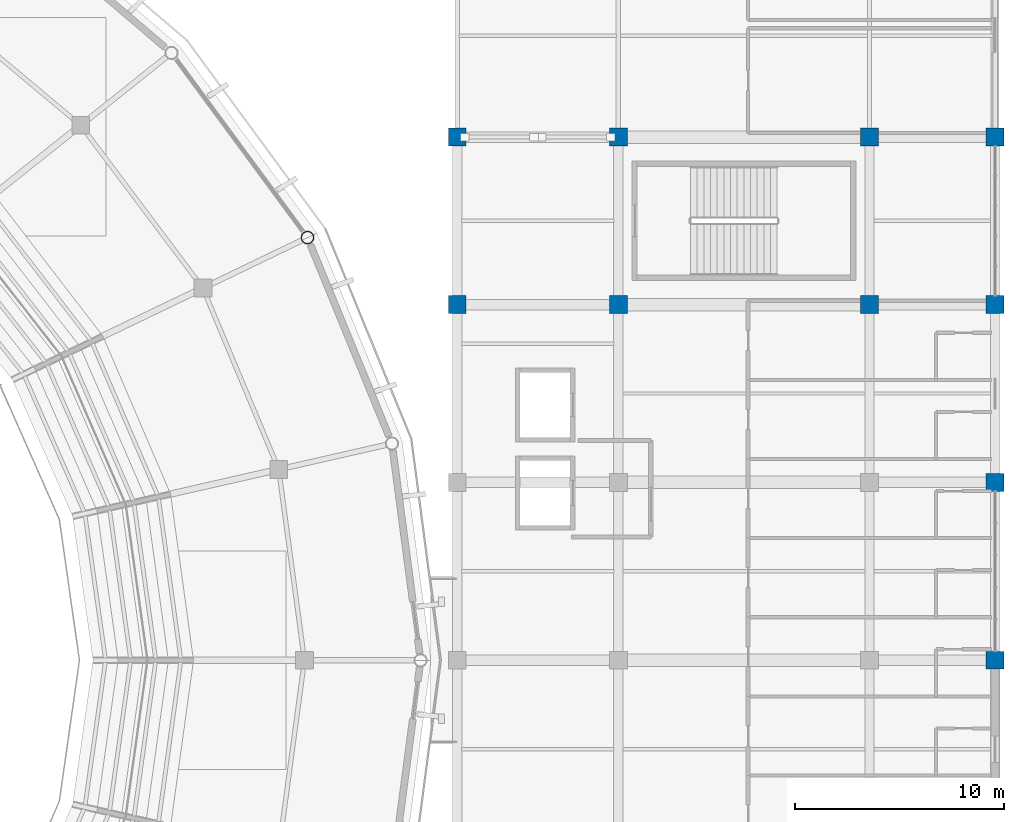
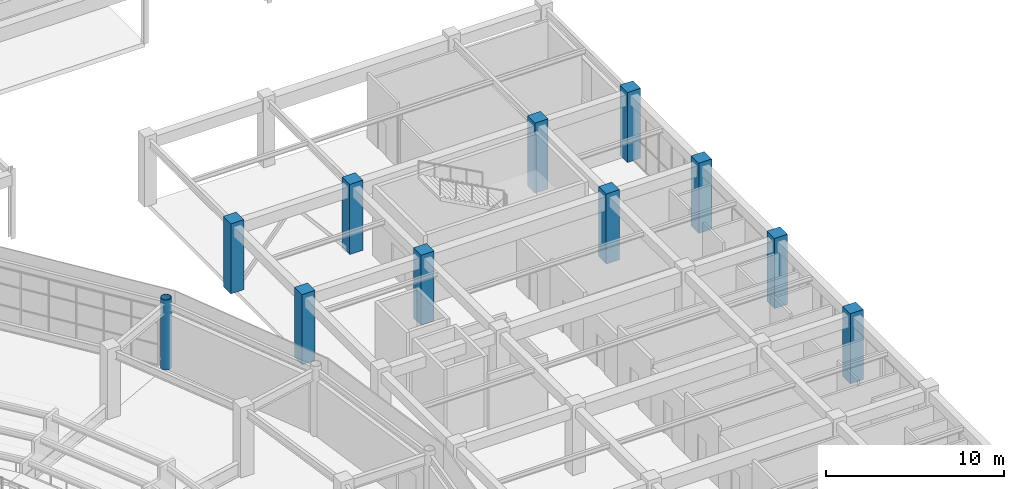
# One storey, part 14 of 122: 11 columns.
"""IFC4 building model written with IfcOpenShell, lengths in metres."""

from ifc_helpers import new_model, si_unit, direction, frame, origin, origin_2d, place, context, subcontext, project, spatial, rectangle, hollow_circle, extrude, material, material_profile, profile_set, type_object, element, save


model = new_model("IFC4")

# Units and contexts
model_context = context("Model", 3, precision=1e-05, world=origin(), true_north=direction((0.0, 1.0)))
body_context = subcontext(model_context, "Body", "Model", "MODEL_VIEW")
ifc_project = project(units=[si_unit("LENGTHUNIT", "METRE"), si_unit("AREAUNIT", "SQUARE_METRE"), si_unit("VOLUMEUNIT", "CUBIC_METRE"), si_unit("PLANEANGLEUNIT", "RADIAN"), si_unit("MASSUNIT", "GRAM", prefix="KILO")], contexts=[model_context])

# Site, building, storey
site_placement = place(None, origin())
site = spatial("IfcSite", under=ifc_project, at=site_placement, CompositionType="ELEMENT")
building_placement = place(site_placement, origin())
building = spatial("IfcBuilding", under=site, at=building_placement, Name="Cuetzalor Civic Arena", CompositionType="ELEMENT")
storey_placement = place(building_placement, frame((0.0, 0.0, 16.199951171875)))
storey = spatial("IfcBuildingStorey", under=building, at=storey_placement, Name="L03", CompositionType="ELEMENT", Elevation=16.199951171875)

# Columns
ifc_material_1 = material(Name="Concrete C40/50", Category="concrete")
ifc_material_profile_1 = material_profile(ifc_material_1, rectangle(XDim=0.85009765625, YDim=0.85009765625, at=origin_2d()), Name="RC 850x850")
ifc_profile_set_1 = profile_set([ifc_material_profile_1], Name="Concrete C40/50")
column_type_1 = type_object("IfcColumnType", Name="ConcreteColumn_850", PredefinedType="COLUMN", material=ifc_profile_set_1)
for number, where, z_axis, x_axis, name in (
    (1, (56.300048828125, 17.0, 0.0), (0.0, 0.0, 1.0), (1.0, 0.0, 0.0), "Column V4E-C-01-09 L03"),
    (2, (56.300048828125, 25.0, 0.0), (0.0, 0.0, 1.0), (1.0, 0.0, 0.0), "Column V4E-C-01-10 L03"),
    (3, (64.0, 17.0, 0.0), (0.0, 0.0, 1.0), (1.0, 0.0, 0.0), "Column V4E-C-02-09 L03"),
    (4, (64.0, 25.0, 0.0), (0.0, 0.0, 1.0), (1.0, 0.0, 0.0), "Column V4E-C-02-10 L03"),
    (5, (76.0, 17.0, 0.0), (0.0, 0.0, 1.0), (1.0, 0.0, 0.0), "Column V4E-C-03-09 L03"),
    (6, (76.0, 25.0, 0.0), (0.0, 0.0, 1.0), (1.0, 0.0, 0.0), "Column V4E-C-03-10 L03"),
    (7, (82.0, 0.0, 0.0), (0.0, 0.0, 1.0), (1.0, 0.0, 0.0), "Column V4E-C-04-07 L03"),
    (8, (82.0, 8.5, 0.0), (0.0, 0.0, 1.0), (1.0, 0.0, 0.0), "Column V4E-C-04-08 L03"),
    (9, (82.0, 17.0, 0.0), (0.0, 0.0, 1.0), (1.0, 0.0, 0.0), "Column V4E-C-04-09 L03"),
    (10, (82.0, 25.0, 0.0), (0.0, 0.0, 1.0), (1.0, 0.0, 0.0), "Column V4E-C-04-10 L03"),
):
    element("IfcColumn", number, at=place(storey_placement, frame(where, z_axis=z_axis, x_axis=x_axis)), inside=storey, type_object=column_type_1, Name=name, PredefinedType="COLUMN", context=body_context, shape_type="SweptSolid", body=[
        extrude(rectangle(XDim=0.85009765625, YDim=0.85009765625, at=origin_2d()), origin(), (0.0, 0.0, 1.0), 4.800048828125),
    ])
ifc_material_2 = material(Name="Steel S355", Category="steel")
ifc_material_profile_2 = material_profile(ifc_material_2, hollow_circle(Radius=0.304931640625, WallThickness=0.02490234375, at=origin_2d()), Name="CHS 610x25")
ifc_profile_set_2 = profile_set([ifc_material_profile_2], Name="Steel S355")
column_type_2 = type_object("IfcColumnType", Name="SteelDomePylon_CHS610", PredefinedType="COLUMN", material=ifc_profile_set_2)
column_placement = place(storey_placement, frame((49.14794921875, 20.197265625, 0.0), z_axis=(0.0, 0.0, 1.0), x_axis=(1.0, 0.0, 0.0)))
element("IfcColumn", 11, at=column_placement, inside=storey, type_object=column_type_2, Name="Column V1-PYL-03 L03", PredefinedType="COLUMN", context=body_context, shape_type="SweptSolid", body=[
    extrude(hollow_circle(Radius=0.304931640625, WallThickness=0.02490234375, at=origin_2d()), origin(), (0.0, 0.0, 1.0), 4.800048828125),
])

save(model, "model.ifc")
